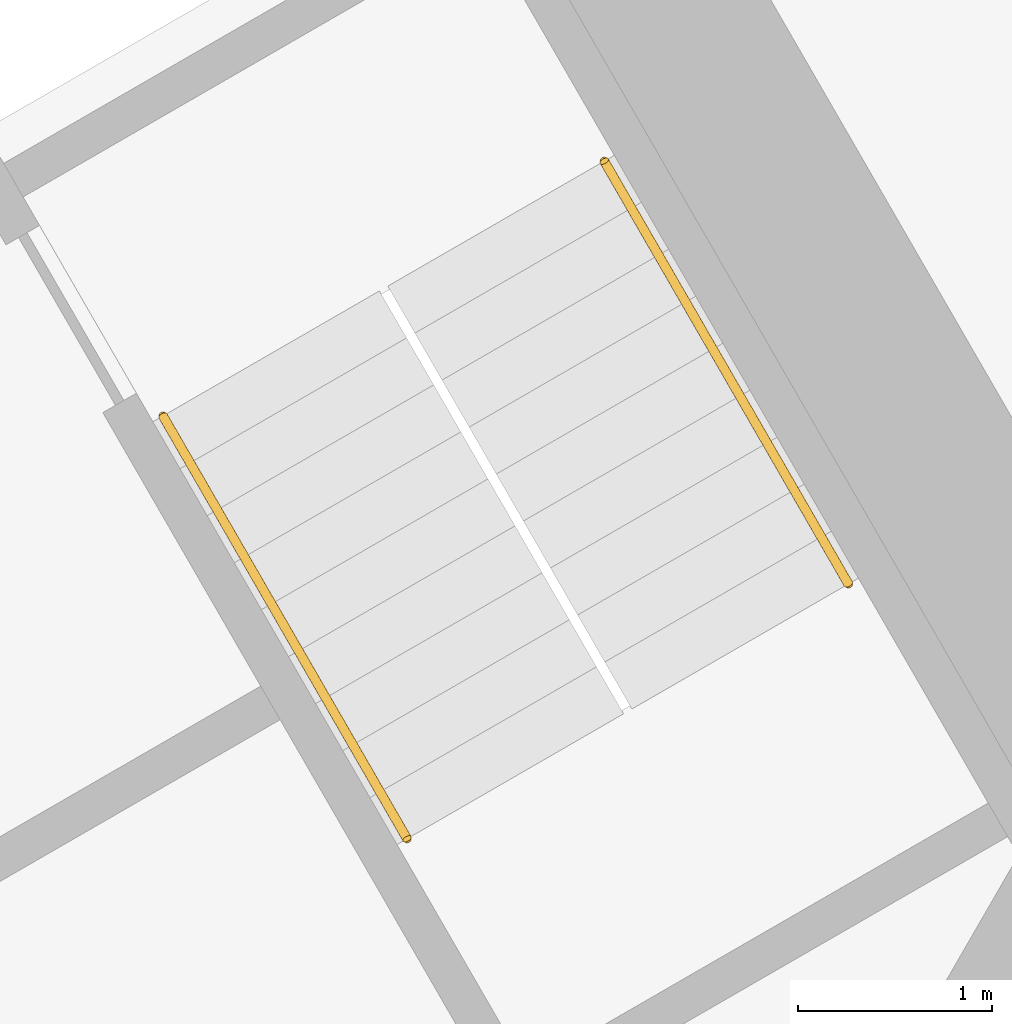
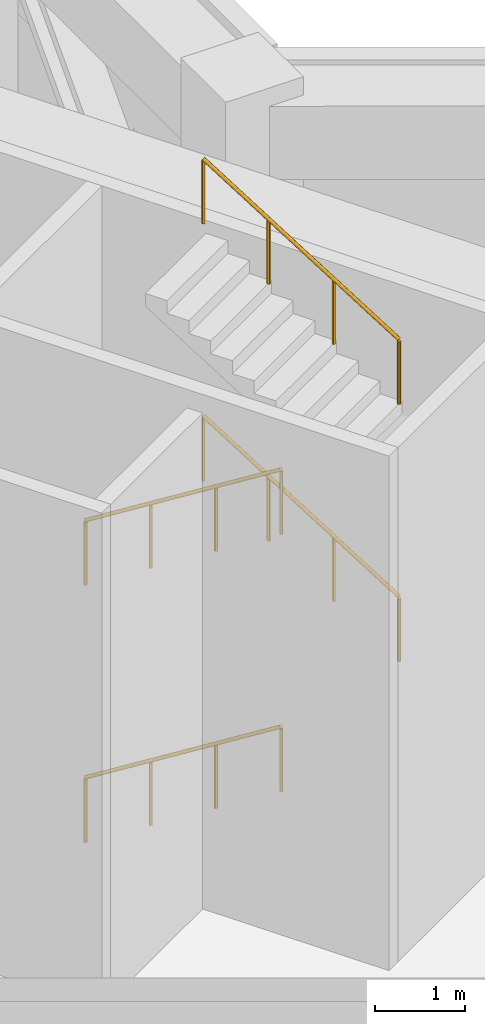
# One storey, part 17 of 17: 4 railings.
"""IFC4 building model written with IfcOpenShell, lengths in metres."""

from ifc_helpers import new_model, si_unit, direction, frame, origin, origin_2d, place, context, subcontext, project, spatial, circle, extrude, material, type_object, element, save


model = new_model("IFC4")

# Units and contexts
model_context = context("Model", 3, precision=1e-05, world=origin(), true_north=direction((0.0, 1.0)))
body_context = subcontext(model_context, "Body", "Model", "MODEL_VIEW")
ifc_project = project(units=[si_unit("LENGTHUNIT", "METRE"), si_unit("AREAUNIT", "SQUARE_METRE"), si_unit("VOLUMEUNIT", "CUBIC_METRE"), si_unit("PLANEANGLEUNIT", "RADIAN"), si_unit("MASSUNIT", "GRAM", prefix="KILO")], contexts=[model_context])

# Site, building, storey
site_placement = place(None, origin())
site = spatial("IfcSite", under=ifc_project, at=site_placement, CompositionType="ELEMENT")
building_placement = place(site_placement, origin())
building = spatial("IfcBuilding", under=site, at=building_placement, Name="Kosmar Iwan School Tower", CompositionType="ELEMENT")
storey_placement = place(building_placement, frame((0.0, 0.0, 113.199951171875)))
storey = spatial("IfcBuildingStorey", under=building, at=storey_placement, Name="L28", CompositionType="ELEMENT", Elevation=113.199951171875)

# Railings
ifc_material = material(Name="Black steel", Category="steel")
railing_type = type_object("IfcRailingType", Name="Stair handrail 900", PredefinedType="HANDRAIL", material=ifc_material)
railing_1_placement = place(storey_placement, frame((6.03466796875, 2.167724609375, 0.175048828125)))
element("IfcRailing", 1, at=railing_1_placement, inside=storey, type_object=railing_type, Name="Handrail ST1 flight 1", PredefinedType="HANDRAIL", context=body_context, shape_type="SweptSolid", body=[
    extrude(circle(Radius=0.02392578125, at=origin_2d()), frame((0.0, 0.0, 0.8759765625), z_axis=(0.42400668935, -0.73439174503, 0.529987822708), x_axis=(0.866022637375, 0.500004791531, 0.0)), (0.0, 0.0, 1.0), 2.9716796875),
    extrude(circle(Radius=0.02099609375, at=origin_2d()), origin(), (0.0, 0.0, 1.0), 0.851806640625),
    extrude(circle(Radius=0.02099609375, at=origin_2d()), frame((0.419921875, -0.7275390625, 0.52490234375)), (0.0, 0.0, 1.0), 0.851806640625),
    extrude(circle(Radius=0.02099609375, at=origin_2d()), frame((0.840087890625, -1.454833984375, 1.050048828125)), (0.0, 0.0, 1.0), 0.851806640625),
    extrude(circle(Radius=0.02099609375, at=origin_2d()), frame((1.260009765625, -2.182373046875, 1.574951171875)), (0.0, 0.0, 1.0), 0.851806640625),
])
railing_2_placement = place(storey_placement, frame((9.572265625, 1.30029296875, 1.925048828125)))
element("IfcRailing", 2, at=railing_2_placement, inside=storey, type_object=railing_type, Name="Handrail ST1 flight 2", PredefinedType="HANDRAIL", context=body_context, shape_type="SweptSolid", body=[
    extrude(circle(Radius=0.02392578125, at=origin_2d()), frame((0.0, 0.0, 0.8759765625), z_axis=(-0.42400668935, 0.73439174503, 0.529987822708), x_axis=(-0.866022637375, -0.500004791531, 0.0)), (0.0, 0.0, 1.0), 2.9716796875),
    extrude(circle(Radius=0.02099609375, at=origin_2d()), origin(), (0.0, 0.0, 1.0), 0.851806640625),
    extrude(circle(Radius=0.02099609375, at=origin_2d()), frame((-0.419921875, 0.7275390625, 0.52490234375)), (0.0, 0.0, 1.0), 0.851806640625),
    extrude(circle(Radius=0.02099609375, at=origin_2d()), frame((-0.840087890625, 1.454833984375, 1.050048828125)), (0.0, 0.0, 1.0), 0.851806640625),
    extrude(circle(Radius=0.02099609375, at=origin_2d()), frame((-1.260009765625, 2.182373046875, 1.574951171875)), (0.0, 0.0, 1.0), 0.851806640625),
])
railing_3_placement = place(storey_placement, frame((6.03466796875, 2.167724609375, 3.675048828125)))
element("IfcRailing", 3, at=railing_3_placement, inside=storey, type_object=railing_type, Name="Handrail ST1 flight 3", PredefinedType="HANDRAIL", context=body_context, shape_type="SweptSolid", body=[
    extrude(circle(Radius=0.02392578125, at=origin_2d()), frame((0.0, 0.0, 0.8759765625), z_axis=(0.42400668935, -0.73439174503, 0.529987822708), x_axis=(0.866022637375, 0.500004791531, 0.0)), (0.0, 0.0, 1.0), 2.9716796875),
    extrude(circle(Radius=0.02099609375, at=origin_2d()), origin(), (0.0, 0.0, 1.0), 0.851806640625),
    extrude(circle(Radius=0.02099609375, at=origin_2d()), frame((0.419921875, -0.7275390625, 0.52490234375)), (0.0, 0.0, 1.0), 0.851806640625),
    extrude(circle(Radius=0.02099609375, at=origin_2d()), frame((0.840087890625, -1.454833984375, 1.050048828125)), (0.0, 0.0, 1.0), 0.851806640625),
    extrude(circle(Radius=0.02099609375, at=origin_2d()), frame((1.260009765625, -2.182373046875, 1.574951171875)), (0.0, 0.0, 1.0), 0.851806640625),
])
railing_4_placement = place(storey_placement, frame((9.572265625, 1.30029296875, 5.425048828125)))
element("IfcRailing", 4, at=railing_4_placement, inside=storey, type_object=railing_type, Name="Handrail ST1 flight 4", PredefinedType="HANDRAIL", context=body_context, shape_type="SweptSolid", body=[
    extrude(circle(Radius=0.02392578125, at=origin_2d()), frame((0.0, 0.0, 0.8759765625), z_axis=(-0.42400668935, 0.73439174503, 0.529987822708), x_axis=(-0.866022637375, -0.500004791531, 0.0)), (0.0, 0.0, 1.0), 2.9716796875),
    extrude(circle(Radius=0.02099609375, at=origin_2d()), origin(), (0.0, 0.0, 1.0), 0.851806640625),
    extrude(circle(Radius=0.02099609375, at=origin_2d()), frame((-0.419921875, 0.7275390625, 0.52490234375)), (0.0, 0.0, 1.0), 0.851806640625),
    extrude(circle(Radius=0.02099609375, at=origin_2d()), frame((-0.840087890625, 1.454833984375, 1.050048828125)), (0.0, 0.0, 1.0), 0.851806640625),
    extrude(circle(Radius=0.02099609375, at=origin_2d()), frame((-1.260009765625, 2.182373046875, 1.574951171875)), (0.0, 0.0, 1.0), 0.851806640625),
])

save(model, "model.ifc")
